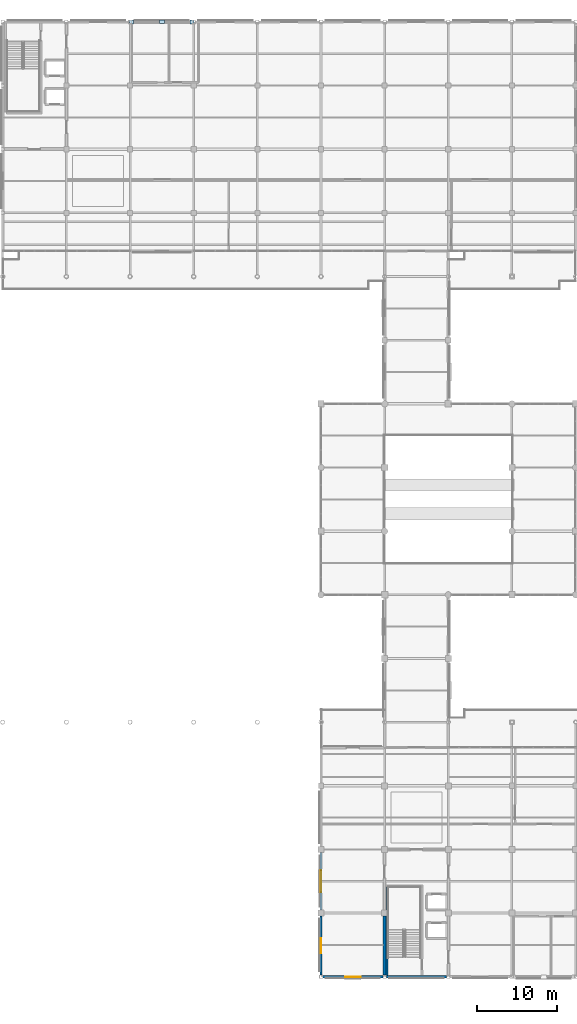
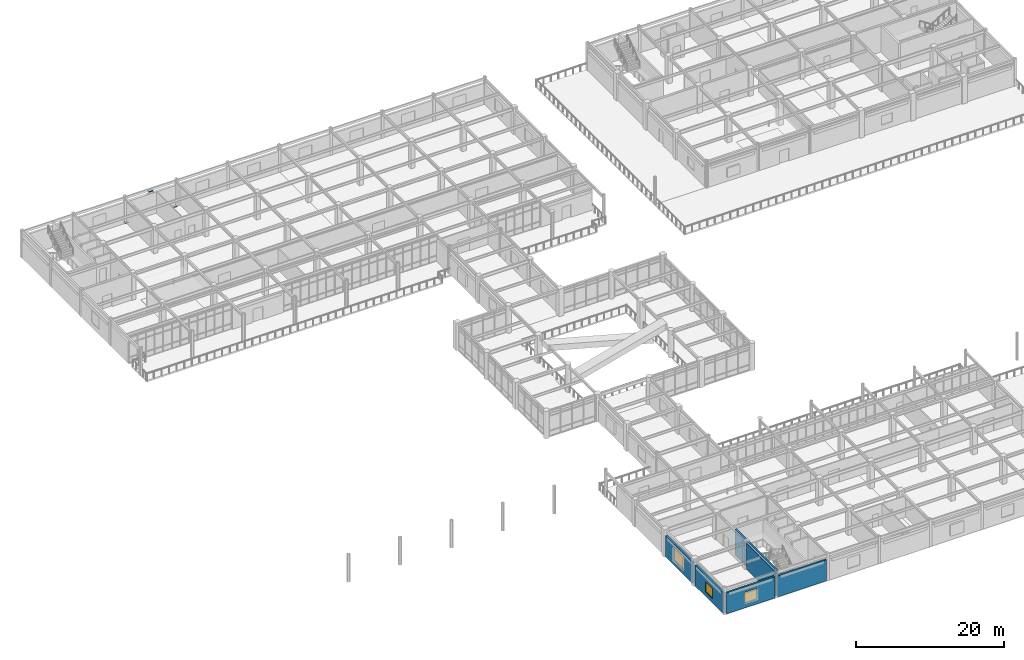
# One storey, part 54 of 75: 6 walls, 3 plates, 3 windows, 3 openings.
"""IFC4 building model written with IfcOpenShell, lengths in metres."""

from ifc_helpers import new_model, si_unit, direction, frame, frame_2d, origin, origin_2d, place, context, subcontext, project, spatial, rectangle, extrude, material, layer, layer_set, type_object, element, fill, save


model = new_model("IFC4")

# Units and contexts
model_context = context("Model", 3, precision=1e-05, world=origin(), true_north=direction((0.0, 1.0)))
body_context = subcontext(model_context, "Body", "Model", "MODEL_VIEW")
ifc_project = project(units=[si_unit("LENGTHUNIT", "METRE"), si_unit("AREAUNIT", "SQUARE_METRE"), si_unit("VOLUMEUNIT", "CUBIC_METRE"), si_unit("PLANEANGLEUNIT", "RADIAN"), si_unit("MASSUNIT", "GRAM", prefix="KILO")], contexts=[model_context])

# Site, building, storey
site_placement = place(None, origin())
site = spatial("IfcSite", under=ifc_project, at=site_placement, CompositionType="ELEMENT")
building_placement = place(site_placement, origin())
building = spatial("IfcBuilding", under=site, at=building_placement, Name="Solmirada Galleria", CompositionType="ELEMENT")
storey_placement = place(building_placement, frame((0.0, 0.0, 19.39990234375)))
storey = spatial("IfcBuildingStorey", under=building, at=storey_placement, Name="L04", CompositionType="ELEMENT", Elevation=19.39990234375)

# Plates
ifc_material_1 = material(Name="Steel S355 / ASTM A572 Grade 50", Category="steel")
ifc_layer_1 = layer(ifc_material_1, 0.028076171875)
ifc_layer_set_1 = layer_set([ifc_layer_1], Name="Steel S355 / ASTM A572 Grade 50")
plate_type_1 = type_object("IfcPlateType", Name="PLT-NODE-02", PredefinedType="SHEET", material=ifc_layer_set_1)
for number, where, z_axis, x_axis, name in (
    (1, (56.202880859375, 120.0, 0.005859375), (0.0, 0.0, 1.0), (1.0, 0.0, 0.0), "Braced frame gusset plate CBF-N1 L04 LA"),
    (2, (63.797119140625, 120.0, 0.005859375), (0.0, 0.0, 1.0), (1.0, 0.0, 0.0), "Braced frame gusset plate CBF-N1 L04 RA"),
):
    element("IfcPlate", number, at=place(storey_placement, frame(where, z_axis=z_axis, x_axis=x_axis)), inside=storey, type_object=plate_type_1, Name=name, PredefinedType="SHEET", context=body_context, shape_type="SweptSolid", body=[
        extrude(rectangle(XDim=0.47998046875, YDim=0.47998046875, at=origin_2d()), origin(), (0.0, 0.0, 1.0), 0.028076171875),
    ])
ifc_layer_2 = layer(ifc_material_1, 0.035888671875)
ifc_layer_set_2 = layer_set([ifc_layer_2], Name="Steel S355 / ASTM A572 Grade 50")
plate_type_2 = type_object("IfcPlateType", Name="PLT-NODE-04", PredefinedType="SHEET", material=ifc_layer_set_2)
plate_placement = place(storey_placement, frame((60.0, 120.0, 3.8623046875), z_axis=(0.0, 0.0, 1.0), x_axis=(1.0, 0.0, 0.0)))
element("IfcPlate", 3, at=plate_placement, inside=storey, type_object=plate_type_2, Name="Braced frame gusset plate CBF-N1 L04 AP", PredefinedType="SHEET", context=body_context, shape_type="SweptSolid", body=[
    extrude(rectangle(XDim=0.64990234375, YDim=0.449951171875, at=origin_2d()), origin(), (0.0, 0.0, 1.0), 0.035888671875),
])

# Walls
ifc_material_2 = material(Name="Concrete C40/50", Category="concrete")
ifc_layer_3 = layer(ifc_material_2, 0.3798828125)
ifc_layer_set_3 = layer_set([ifc_layer_3], Name="Concrete C40/50")
wall_type_1 = type_object("IfcWallType", Name="WL-CORE-380", PredefinedType="SHEAR", material=ifc_layer_set_3)
wall_1_placement = place(storey_placement, frame((88.0, 0.202880859375, 0.0), z_axis=(0.0, 0.0, 1.0), x_axis=(0.0, 1.0, 0.0)))
element("IfcWall", 4, at=wall_1_placement, inside=storey, type_object=wall_type_1, Name="Core C2 shear wall L04 W1", PredefinedType="SHEAR", context=body_context, shape_type="SweptSolid", body=[
    extrude(rectangle(XDim=7.422119140625, YDim=0.3798828125, at=frame_2d((3.7109375, 0.0))), origin(), (0.0, 0.0, 1.0), 4.280029296875),
])
ifc_material_3 = material(Name="Precast concrete C40/50", Category="concrete")
ifc_layer_4 = layer(ifc_material_3, 0.2900390625)
ifc_layer_set_4 = layer_set([ifc_layer_4], Name="Precast concrete C40/50")
wall_type_2 = type_object("IfcWallType", Name="WL-EXT-290", PredefinedType="STANDARD", material=ifc_layer_set_4)
wall_2_placement = place(storey_placement, frame((95.797119140625, 0.0, 0.0), z_axis=(0.0, 0.0, 1.0), x_axis=(-1.0, 0.0, 0.0)))
element("IfcWall", 5, at=wall_2_placement, inside=storey, type_object=wall_type_2, Name="Exterior wall L04 bay 064", PredefinedType="STANDARD", context=body_context, shape_type="SweptSolid", body=[
    extrude(rectangle(XDim=7.59423828125, YDim=0.2900390625, at=frame_2d((3.797119140625, 0.0))), origin(), (0.0, 0.0, 1.0), 3.47998046875),
])

# Wall, opening, window
wall_3_placement = place(storey_placement, frame((87.797119140625, 0.0, 0.0), z_axis=(0.0, 0.0, 1.0), x_axis=(-1.0, 0.0, 0.0)))
wall_3 = element("IfcWall", 6, at=wall_3_placement, inside=storey, type_object=wall_type_2, Name="Exterior wall L04 bay 065", PredefinedType="STANDARD", context=body_context, shape_type="SweptSolid", body=[
    extrude(rectangle(XDim=7.59423828125, YDim=0.2900390625, at=frame_2d((3.797119140625, 0.0))), origin(), (0.0, 0.0, 1.0), 3.47998046875),
])
opening_1_placement = place(wall_3_placement, frame((2.822021484375, 0.0, 0.800048828125)))
opening_1 = element("IfcOpeningElement", 7, at=opening_1_placement, cuts=wall_3, Name="Opening WN30", PredefinedType="OPENING", context=body_context, shape_type="SweptSolid", body=[
    extrude(rectangle(XDim=1.949951171875, YDim=1.800048828125, at=frame_2d((0.97509765625, 0.89990234375))), frame((0.0, 0.155029296875, 0.0), z_axis=(0.0, -1.0, 0.0), x_axis=(1.0, 0.0, 0.0)), (0.0, 0.0, 1.0), 0.31005859375),
])
ifc_material_4 = material(Name="Impact-resistant low-E double glazing", Category="glass")
window_type_1 = type_object("IfcWindowType", Name="WIN-ATEL-195X180", PartitioningType="DOUBLE_PANEL_VERTICAL", PredefinedType="WINDOW", material=ifc_material_4)
window_1_placement = place(opening_1_placement, origin())
window_1 = element("IfcWindow", 8, at=window_1_placement, inside=storey, type_object=window_type_1, Name="Window L04-136", OverallHeight=1.800048828125, OverallWidth=1.949951171875, PartitioningType="DOUBLE_PANEL_VERTICAL", PredefinedType="WINDOW", context=body_context, shape_type="SweptSolid", body=[
    extrude(rectangle(XDim=1.949951171875, YDim=1.800048828125, at=frame_2d((0.97509765625, 0.89990234375))), frame((0.0, 0.030029296875, 0.0), z_axis=(0.0, -1.0, 0.0), x_axis=(1.0, 0.0, 0.0)), (0.0, 0.0, 1.0), 0.06005859375),
])
fill(opening_1, window_1)

wall_4_placement = place(storey_placement, frame((80.0, 0.202880859375, 0.0), z_axis=(0.0, 0.0, 1.0), x_axis=(0.0, 1.0, 0.0)))
wall_4 = element("IfcWall", 9, at=wall_4_placement, inside=storey, type_object=wall_type_2, Name="Exterior wall L04 bay 066", PredefinedType="STANDARD", context=body_context, shape_type="SweptSolid", body=[
    extrude(rectangle(XDim=7.422119140625, YDim=0.2900390625, at=frame_2d((3.7109375, 0.0))), origin(), (0.0, 0.0, 1.0), 3.47998046875),
])
opening_2_placement = place(wall_4_placement, frame((2.760986328125, 0.0, 0.800048828125)))
opening_2 = element("IfcOpeningElement", 10, at=opening_2_placement, cuts=wall_4, Name="Opening WN18", PredefinedType="OPENING", context=body_context, shape_type="SweptSolid", body=[
    extrude(rectangle(XDim=1.89990234375, YDim=1.64990234375, at=frame_2d((0.949951171875, 0.824951171875))), frame((0.0, 0.155029296875, 0.0), z_axis=(0.0, -1.0, 0.0), x_axis=(1.0, 0.0, 0.0)), (0.0, 0.0, 1.0), 0.31005859375),
])
window_type_2 = type_object("IfcWindowType", Name="WIN-FH-190X165", PartitioningType="DOUBLE_PANEL_VERTICAL", PredefinedType="WINDOW", material=ifc_material_4)
window_2_placement = place(opening_2_placement, origin())
window_2 = element("IfcWindow", 11, at=window_2_placement, inside=storey, type_object=window_type_2, Name="Window L04-137", OverallHeight=1.64990234375, OverallWidth=1.89990234375, PartitioningType="DOUBLE_PANEL_VERTICAL", PredefinedType="WINDOW", context=body_context, shape_type="SweptSolid", body=[
    extrude(rectangle(XDim=1.89990234375, YDim=1.64990234375, at=frame_2d((0.949951171875, 0.824951171875))), frame((0.0, 0.030029296875, 0.0), z_axis=(0.0, -1.0, 0.0), x_axis=(1.0, 0.0, 0.0)), (0.0, 0.0, 1.0), 0.06005859375),
])
fill(opening_2, window_2)

wall_5_placement = place(storey_placement, frame((80.0, 8.375, 0.0), z_axis=(0.0, 0.0, 1.0), x_axis=(0.0, 1.0, 0.0)))
wall_5 = element("IfcWall", 12, at=wall_5_placement, inside=storey, type_object=wall_type_2, Name="Exterior wall L04 bay 067", PredefinedType="STANDARD", context=body_context, shape_type="SweptSolid", body=[
    extrude(rectangle(XDim=7.25, YDim=0.2900390625, at=frame_2d((3.625, 0.0))), origin(), (0.0, 0.0, 1.0), 3.47998046875),
])
opening_3_placement = place(wall_5_placement, frame((2.25, 0.0, 0.800048828125)))
opening_3 = element("IfcOpeningElement", 13, at=opening_3_placement, cuts=wall_5, Name="Opening WN33", PredefinedType="OPENING", context=body_context, shape_type="SweptSolid", body=[
    extrude(rectangle(XDim=2.75, YDim=2.14990234375, at=frame_2d((1.375, 1.074951171875))), frame((0.0, 0.155029296875, 0.0), z_axis=(0.0, -1.0, 0.0), x_axis=(1.0, 0.0, 0.0)), (0.0, 0.0, 1.0), 0.31005859375),
])
window_type_3 = type_object("IfcWindowType", Name="WIN-BRAS-275X215", PartitioningType="TRIPLE_PANEL_VERTICAL", PredefinedType="WINDOW", material=ifc_material_4)
window_3_placement = place(opening_3_placement, origin())
window_3 = element("IfcWindow", 14, at=window_3_placement, inside=storey, type_object=window_type_3, Name="Window L04-138", OverallHeight=2.14990234375, OverallWidth=2.75, PartitioningType="TRIPLE_PANEL_VERTICAL", PredefinedType="WINDOW", context=body_context, shape_type="SweptSolid", body=[
    extrude(rectangle(XDim=2.75, YDim=2.14990234375, at=frame_2d((1.375, 1.074951171875))), frame((0.0, 0.030029296875, 0.0), z_axis=(0.0, -1.0, 0.0), x_axis=(1.0, 0.0, 0.0)), (0.0, 0.0, 1.0), 0.06005859375),
])
fill(opening_3, window_3)

# Wall
ifc_layer_5 = layer(ifc_material_2, 0.260009765625)
ifc_layer_set_5 = layer_set([ifc_layer_5], Name="Concrete C40/50")
wall_type_3 = type_object("IfcWallType", Name="WL-SHAFT-260", PredefinedType="SHEAR", material=ifc_layer_set_5)
wall_6_placement = place(storey_placement, frame((88.27001953125, 0.14501953125, 0.0), z_axis=(0.0, 0.0, 1.0), x_axis=(0.0, 1.0, 0.0)))
element("IfcWall", 15, at=wall_6_placement, inside=storey, type_object=wall_type_3, Name="Stair ST2 enclosure wall L04 W", PredefinedType="SHEAR", context=body_context, shape_type="SweptSolid", body=[
    extrude(rectangle(XDim=11.155029296875, YDim=0.260009765625, at=frame_2d((5.57763671875, 0.0))), origin(), (0.0, 0.0, 1.0), 4.280029296875),
])

save(model, "model.ifc")
